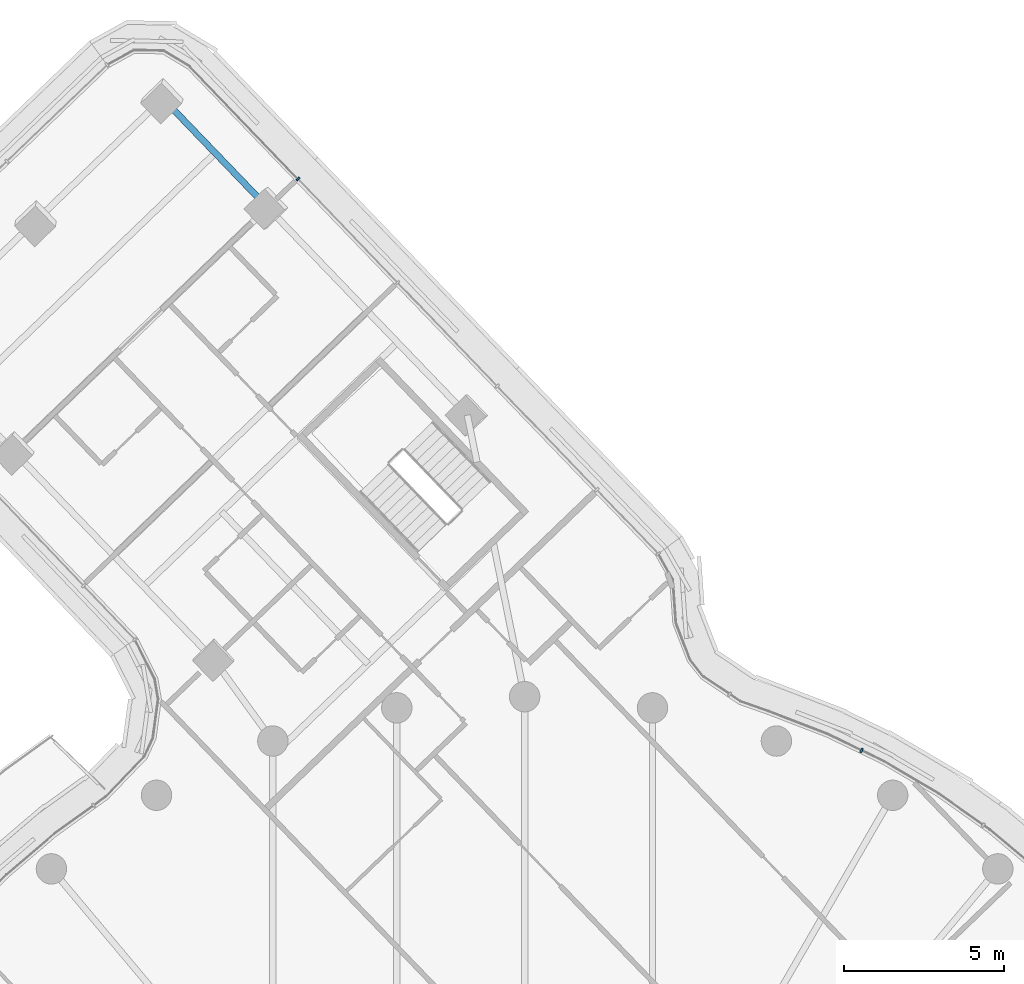
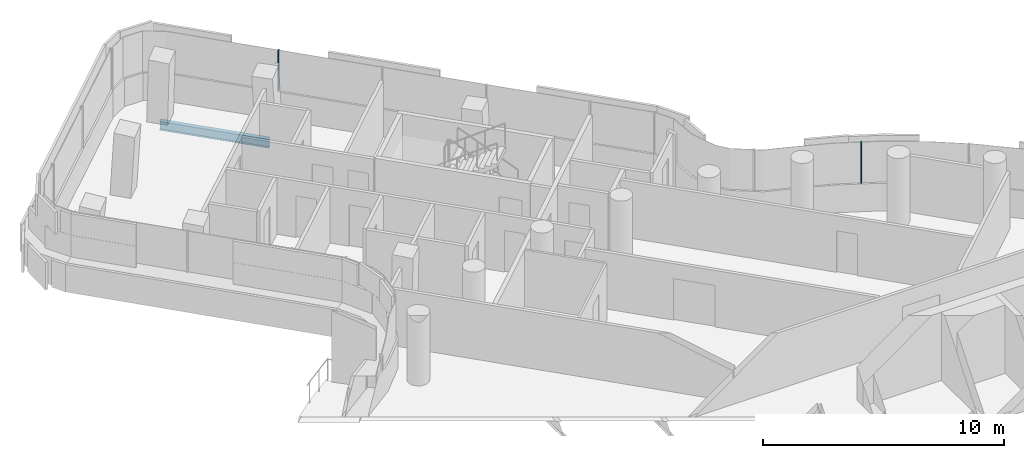
# One storey, part 17 of 34: 2 members, 1 beam, 2 elements without a shape of their own.
"""IFC4 building model written with IfcOpenShell, lengths in metres."""

from ifc_helpers import new_model, si_unit, direction, frame, origin, origin_2d, place, context, subcontext, project, spatial, rectangle, i_section, extrude, material, layer, layer_set, material_profile, profile_set, type_object, element, aggregate, save


model = new_model("IFC4")

# Units and contexts
model_context = context("Model", 3, precision=1e-05, world=origin(), true_north=direction((0.0, 1.0)))
body_context = subcontext(model_context, "Body", "Model", "MODEL_VIEW")
ifc_project = project(units=[si_unit("LENGTHUNIT", "METRE"), si_unit("AREAUNIT", "SQUARE_METRE"), si_unit("VOLUMEUNIT", "CUBIC_METRE"), si_unit("PLANEANGLEUNIT", "RADIAN"), si_unit("MASSUNIT", "GRAM", prefix="KILO")], contexts=[model_context])

# Site, building, storey
site_placement = place(None, origin())
site = spatial("IfcSite", under=ifc_project, at=site_placement, CompositionType="ELEMENT")
building_placement = place(site_placement, origin())
building = spatial("IfcBuilding", under=site, at=building_placement, Name="Tamarind Cross Interchange Tower", CompositionType="ELEMENT")
storey_placement = place(building_placement, frame((0.0, 0.0, 193.300048828125)))
storey = spatial("IfcBuildingStorey", under=building, at=storey_placement, Name="L48", CompositionType="ELEMENT", Elevation=193.300048828125)

# Beam
ifc_material_1 = material(Name="Steel Q355B", Category="steel")
ifc_material_profile_1 = material_profile(ifc_material_1, i_section(OverallWidth=0.198974609375, OverallDepth=0.446044921875, WebThickness=0.008056640625, FlangeThickness=0.011962890625, FilletRadius=0.012939453125, at=origin_2d()), Name="HN 446x199x8x12")
ifc_profile_set_1 = profile_set([ifc_material_profile_1], Name="Steel Q355B")
beam_type = type_object("IfcBeamType", Name="Composite beam HN 446x199x8x12 Q355B", PredefinedType="BEAM", material=ifc_profile_set_1)
beam_placement = place(storey_placement, frame((-11.302490234375, 41.687255859375, -0.363037109375), z_axis=(0.693148989558, -0.720794338404, 0.0), x_axis=(0.720794338404, 0.693148989558, 0.0)))
element("IfcBeam", 1, at=beam_placement, inside=storey, type_object=beam_type, Name="Beam N-edgeem5", PredefinedType="BEAM", context=body_context, shape_type="SweptSolid", body=[
    extrude(i_section(OverallWidth=0.198974609375, OverallDepth=0.446044921875, WebThickness=0.008056640625, FlangeThickness=0.011962890625, FilletRadius=0.012939453125, at=origin_2d()), origin(), (0.0, 0.0, 1.0), 4.724609375),
])

# Curtain wall, member
ifc_material_2 = material(Name="Aluminium 6063-T6", Category="aluminium")
ifc_layer = layer(ifc_material_2, 0.139892578125)
ifc_layer_set = layer_set([ifc_layer], Name="Aluminium 6063-T6")
curtain_wall_type = type_object("IfcCurtainWallType", Name="Hotel curtain wall, 4.5 m bays", PredefinedType="NOTDEFINED", material=ifc_layer_set)
curtain_wall_1_placement = place(storey_placement, origin())
curtain_wall_1 = element("IfcCurtainWall", 2, at=curtain_wall_1_placement, inside=storey, type_object=curtain_wall_type, Name="CWS-L48-06", PredefinedType="NOTDEFINED")
ifc_material_profile_2 = material_profile(ifc_material_2, rectangle(XDim=0.06005859375, YDim=0.139892578125, at=origin_2d()), Name="Mullion CW2")
ifc_profile_set_2 = profile_set([ifc_material_profile_2], Name="Aluminium 6063-T6")
member_type = type_object("IfcMemberType", Name="Mullion CW2", PredefinedType="MULLION", material=ifc_profile_set_2)
member_1_placement = place(storey_placement, frame((10.528076171875, 21.318359375, 1.39990234375), z_axis=(0.0, 0.0, 1.0), x_axis=(-0.900272776334, 0.435326231914, 0.0)))
member_1 = element("IfcMember", 3, at=member_1_placement, type_object=member_type, Name="CWM-L48-06-12", PredefinedType="MULLION", context=body_context, shape_type="SweptSolid", body=[
    extrude(rectangle(XDim=0.06005859375, YDim=0.139892578125, at=origin_2d()), origin(), (0.0, 0.0, 1.0), 2.06005859375),
])
aggregate(curtain_wall_1, [member_1])

curtain_wall_2_placement = place(storey_placement, origin())
curtain_wall_2 = element("IfcCurtainWall", 4, at=curtain_wall_2_placement, inside=storey, type_object=curtain_wall_type, Name="CWS-L48-07", PredefinedType="NOTDEFINED")
member_2_placement = place(storey_placement, frame((-7.08056640625, 39.172607421875, 1.39990234375), z_axis=(0.0, 0.0, 1.0), x_axis=(-0.69317039432, 0.720773753988, 0.0)))
member_2 = element("IfcMember", 5, at=member_2_placement, type_object=member_type, Name="CWM-L48-07-04", PredefinedType="MULLION", context=body_context, shape_type="SweptSolid", body=[
    extrude(rectangle(XDim=0.06005859375, YDim=0.139892578125, at=origin_2d()), origin(), (0.0, 0.0, 1.0), 2.06005859375),
])
aggregate(curtain_wall_2, [member_2])

save(model, "model.ifc")
